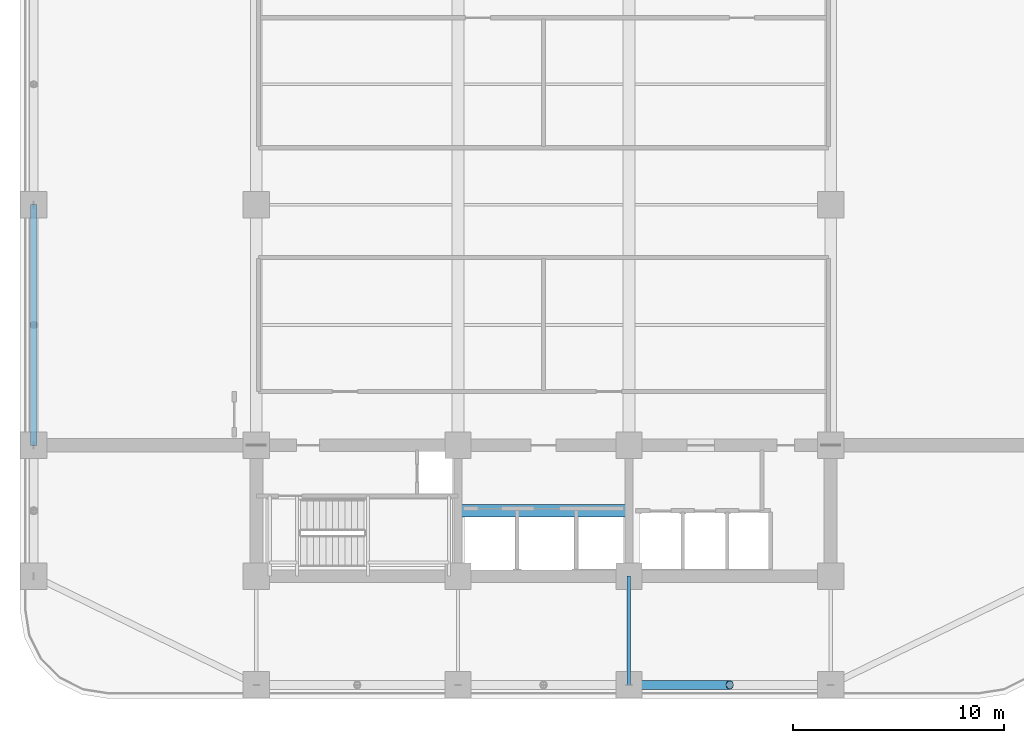
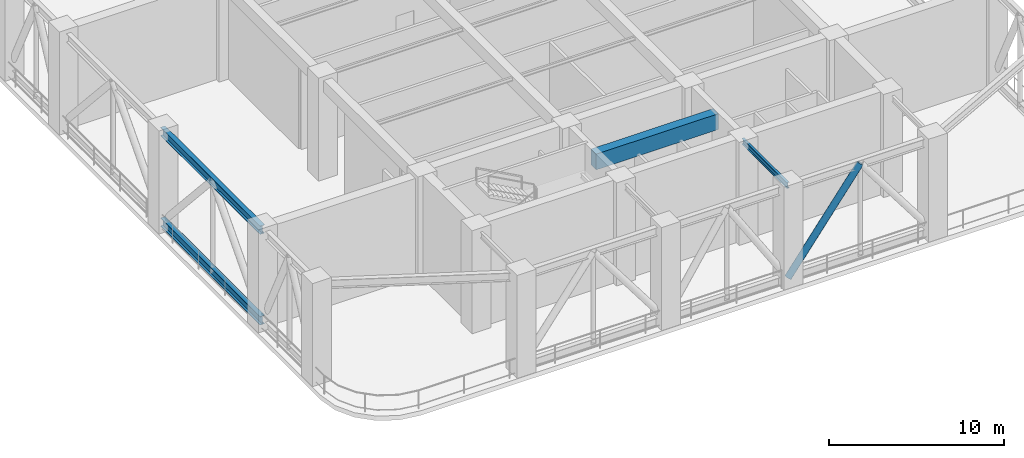
# One storey, part 3 of 20: 4 beams, 1 member.
"""IFC4 building model written with IfcOpenShell, lengths in metres."""

from ifc_helpers import new_model, si_unit, direction, frame, origin, origin_2d, place, context, subcontext, project, spatial, rectangle, hollow_circle, i_section, extrude, material, material_profile, profile_set, type_object, element, save


model = new_model("IFC4")

# Units and contexts
model_context = context("Model", 3, precision=1e-05, world=origin(), true_north=direction((0.0, 1.0)))
body_context = subcontext(model_context, "Body", "Model", "MODEL_VIEW")
ifc_project = project(units=[si_unit("LENGTHUNIT", "METRE"), si_unit("AREAUNIT", "SQUARE_METRE"), si_unit("VOLUMEUNIT", "CUBIC_METRE"), si_unit("PLANEANGLEUNIT", "RADIAN"), si_unit("MASSUNIT", "GRAM", prefix="KILO")], contexts=[model_context])

# Site, building, storey
site_placement = place(None, origin())
site = spatial("IfcSite", under=ifc_project, at=site_placement, CompositionType="ELEMENT")
building_placement = place(site_placement, origin())
building = spatial("IfcBuilding", under=site, at=building_placement, Name="Svetorya Sky Lyceum", CompositionType="ELEMENT")
storey_placement = place(building_placement, frame((0.0, 0.0, 76.89990234375)))
storey = spatial("IfcBuildingStorey", under=building, at=storey_placement, Name="L19", CompositionType="ELEMENT", Elevation=76.89990234375)

# Beams
ifc_material_1 = material(Name="Concrete C60/75", Category="concrete")
ifc_material_profile_1 = material_profile(ifc_material_1, rectangle(XDim=0.60009765625, YDim=1.10009765625, at=origin_2d()), Name="RC COUPLING 600x1100")
ifc_profile_set_1 = profile_set([ifc_material_profile_1], Name="Concrete C60/75")
beam_type_1 = type_object("IfcBeamType", Name="BM-CPL-1100", PredefinedType="LINTEL", material=ifc_profile_set_1)
beam_1_placement = place(storey_placement, frame((35.14990234375, 13.699951171875, 6.3701171875), z_axis=(1.0, 0.0, 0.0), x_axis=(0.0, 1.0, 0.0)))
element("IfcBeam", 1, at=beam_1_placement, inside=storey, type_object=beam_type_1, Name="L19 SC Core Coupling Beam", PredefinedType="LINTEL", context=body_context, shape_type="SweptSolid", body=[
    extrude(rectangle(XDim=0.60009765625, YDim=1.10009765625, at=origin_2d()), origin(), (0.0, 0.0, 1.0), 8.10009765625),
])
ifc_material_2 = material(Name="Steel S355", Category="steel")
ifc_material_profile_2 = material_profile(ifc_material_2, i_section(OverallWidth=0.1650390625, OverallDepth=0.39990234375, WebThickness=0.008056640625, FlangeThickness=0.012939453125, at=origin_2d()), Name="GOST 40B2")
ifc_profile_set_2 = profile_set([ifc_material_profile_2], Name="Steel S355")
beam_type_2 = type_object("IfcBeamType", Name="BM-STL-40B2", PredefinedType="JOIST", material=ifc_profile_set_2)
beam_2_placement = place(storey_placement, frame((43.25, 5.449951171875, 6.72021484375), z_axis=(0.0, 1.0, 0.0), x_axis=(-1.0, 0.0, 0.0)))
element("IfcBeam", 2, at=beam_2_placement, inside=storey, type_object=beam_type_2, Name="L19 South Bay Floor Girder S3", PredefinedType="JOIST", context=body_context, shape_type="SweptSolid", body=[
    extrude(i_section(OverallWidth=0.1650390625, OverallDepth=0.39990234375, WebThickness=0.008056640625, FlangeThickness=0.012939453125, at=origin_2d()), origin(), (0.0, 0.0, 1.0), 5.150146484375),
])
ifc_material_profile_3 = material_profile(ifc_material_2, i_section(OverallWidth=0.304931640625, OverallDepth=0.590087890625, WebThickness=0.014892578125, FlangeThickness=0.02392578125, at=origin_2d()), Name="GOST 60Sh2")
ifc_profile_set_3 = profile_set([ifc_material_profile_3], Name="Steel S355")
beam_type_3 = type_object("IfcBeamType", Name="BM-STL-60SH2", PredefinedType="BEAM", material=ifc_profile_set_3)
for number, where, z_axis, x_axis, name in (
    (3, (15.050048828125, 16.800048828125, 0.295166015625), (0.0, 1.0, 0.0), (-1.0, 0.0, 0.0), "L19 Belt Truss Bottom Chord W-2"),
    (4, (15.050048828125, 16.800048828125, 6.625), (0.0, 1.0, 0.0), (-1.0, 0.0, 0.0), "L19 Belt Truss Top Chord W-2"),
):
    element("IfcBeam", number, at=place(storey_placement, frame(where, z_axis=z_axis, x_axis=x_axis)), inside=storey, type_object=beam_type_3, Name=name, PredefinedType="BEAM", context=body_context, shape_type="SweptSolid", body=[
        extrude(i_section(OverallWidth=0.304931640625, OverallDepth=0.590087890625, WebThickness=0.014892578125, FlangeThickness=0.02392578125, at=origin_2d()), origin(), (0.0, 0.0, 1.0), 11.39990234375),
    ])

# Member
ifc_material_profile_4 = material_profile(ifc_material_2, hollow_circle(Radius=0.212890625, WallThickness=0.01806640625, at=origin_2d()), Name="CHS 426x18")
ifc_profile_set_4 = profile_set([ifc_material_profile_4], Name="Steel S355")
member_type = type_object("IfcMemberType", Name="MB-BRC-CHS426", PredefinedType="BRACE", material=ifc_profile_set_4)
member_placement = place(storey_placement, frame((43.25, 5.449951171875, 0.295166015625), z_axis=(0.602219598405, 0.0, 0.79833048), x_axis=(0.0, 1.0, 0.0)))
element("IfcMember", 5, at=member_placement, inside=storey, type_object=member_type, Name="L19 Belt Truss Diagonal S-3A", PredefinedType="BRACE", context=body_context, shape_type="SweptSolid", body=[
    extrude(hollow_circle(Radius=0.212890625, WallThickness=0.01806640625, at=origin_2d()), origin(), (0.0, 0.0, 1.0), 7.928955078125),
])

save(model, "model.ifc")
